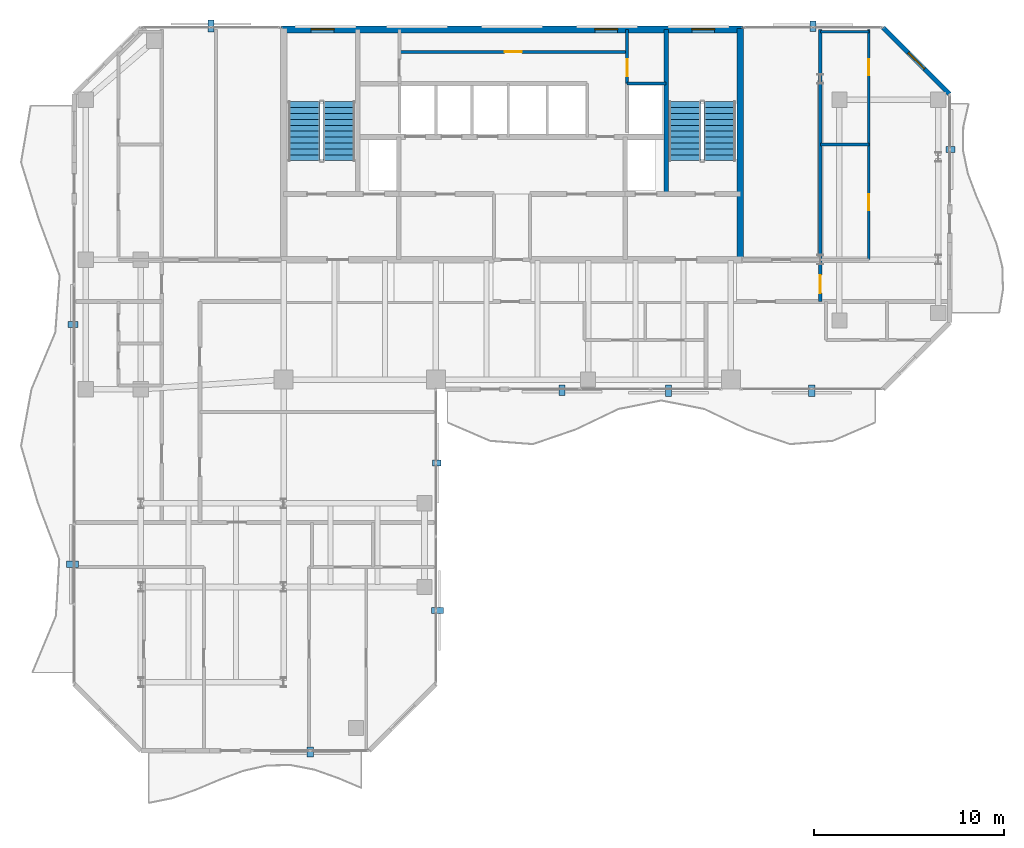
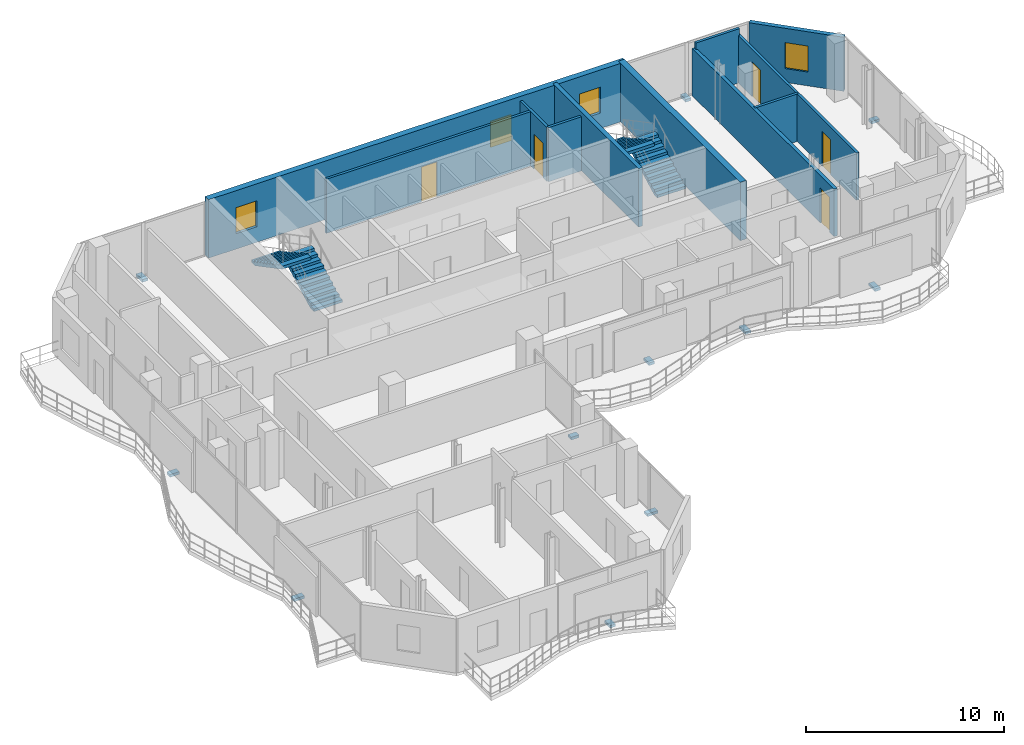
# One storey, part 20 of 23: 11 discrete accessories, 11 walls, 5 doors, 4 stair flights, 4 windows, 9 openings, 2 elements without a shape of their own.
"""IFC4 building model written with IfcOpenShell, lengths in metres."""

import ifcopenshell
import ifcopenshell.guid

model = None  # the IFC model being written
_history = None  # IfcOwnerHistory: only IFC2X3 demands one
_inside = {}  # id of a spatial element -> (the spatial element, [elements in it])
_under = {}  # id of a project, library or spatial element -> (it, [spatial elements below it])
_declared = {}  # id of a project -> (the project, [libraries it declares])
_typed = {}  # id of a type object -> (the type object, [elements of that type])
_made_of = {}  # id of a material, layer set ... -> (it, [elements and type objects made of it])


def new_model(schema):
    """Start an empty IFC model of exactly this schema.

    Asked for "IFC4X3", IfcOpenShell would pick the latest addendum, in which some entities
    have other attributes; the version numbers below select the first issue.
    IFC2X3 requires an IfcOwnerHistory on every rooted entity: one is made here for all.
    """
    global model, _history
    if schema == "IFC4X3":
        model = ifcopenshell.file(schema_version=(4, 3, 0, 0))
    else:
        model = ifcopenshell.file(schema=schema)
    _inside.clear()
    _under.clear()
    _declared.clear()
    _typed.clear()
    _made_of.clear()
    _history = None
    if model.schema == "IFC2X3":
        org = make("IfcOrganization", Name="unknown")
        user = make(
            "IfcPersonAndOrganization",
            ThePerson=make("IfcPerson", FamilyName="unknown"),
            TheOrganization=org,
        )
        app = make(
            "IfcApplication",
            ApplicationDeveloper=org,
            Version="unknown",
            ApplicationFullName="unknown",
            ApplicationIdentifier="unknown",
        )
        _history = make(
            "IfcOwnerHistory",
            OwningUser=user,
            OwningApplication=app,
            ChangeAction="ADDED",
            CreationDate=0,
        )
    return model


def make(cls, **values):
    """One entity of the class cls with the attributes given. An attribute that is None is left unset."""
    return model.create_entity(
        cls, **{name: value for name, value in values.items() if value is not None}
    )


def rooted(cls, **values):
    """An entity with a GlobalId (a new one), such as an element, a storey or a relation."""
    return make(cls, GlobalId=ifcopenshell.guid.new(), OwnerHistory=_history, **values)


def si_unit(unit_type, name, prefix=None):
    """IfcSIUnit, for example si_unit("LENGTHUNIT", "METRE", prefix="MILLI")."""
    return make("IfcSIUnit", UnitType=unit_type, Prefix=prefix, Name=name)


def assignment(units):
    """IfcUnitAssignment: the units of a project."""
    return None if units is None else make("IfcUnitAssignment", Units=units)


def point(xyz):
    """IfcCartesianPoint."""
    return None if xyz is None else make("IfcCartesianPoint", Coordinates=xyz)


def direction(xyz):
    """IfcDirection."""
    return None if xyz is None else make("IfcDirection", DirectionRatios=xyz)


def frame(location, z_axis=None, x_axis=None):
    """IfcAxis2Placement3D, a coordinate frame: its origin and axes. An axis left out is left unset."""
    return make(
        "IfcAxis2Placement3D",
        Location=point(location),
        Axis=direction(z_axis),
        RefDirection=direction(x_axis),
    )


def frame_2d(location, x_axis=None):
    """IfcAxis2Placement2D, a coordinate frame in the plane: its origin and x axis."""
    return make(
        "IfcAxis2Placement2D", Location=point(location), RefDirection=direction(x_axis)
    )


def origin():
    """The frame at (0, 0, 0) with its axes left unset."""
    return frame((0.0, 0.0, 0.0))


def origin_2d():
    """The frame at (0, 0) in the plane with its x axis left unset."""
    return frame_2d((0.0, 0.0))


def place(relative_to, where):
    """IfcLocalPlacement: puts the frame where relative to a parent placement (None: the world)."""
    return make(
        "IfcLocalPlacement", PlacementRelTo=relative_to, RelativePlacement=where
    )


def context(
    kind, dimensions, precision=None, world=None, true_north=None, identifier=None
):
    """IfcGeometricRepresentationContext, for example the 3D "Model" context."""
    return make(
        "IfcGeometricRepresentationContext",
        ContextIdentifier=identifier,
        ContextType=kind,
        CoordinateSpaceDimension=dimensions,
        Precision=precision,
        WorldCoordinateSystem=world,
        TrueNorth=true_north,
    )


def subcontext(parent, identifier, kind, view, scale=None):
    """IfcGeometricRepresentationSubContext, for example "Body" below "Model"."""
    return make(
        "IfcGeometricRepresentationSubContext",
        ContextIdentifier=identifier,
        ContextType=kind,
        ParentContext=parent,
        TargetScale=scale,
        TargetView=view,
    )


def project(units=None, contexts=None):
    """IfcProject with its units and contexts."""
    return rooted(
        "IfcProject",
        Name="project",
        RepresentationContexts=contexts,
        UnitsInContext=assignment(units),
    )


def spatial(cls, under=None, at=None, **own):
    """A site, building, storey or space (cls), placed at a placement, below another one or the project."""
    s = rooted(cls, ObjectPlacement=at, **own)
    if under is not None:
        _under.setdefault(under.id(), (under, []))[1].append(s)
    return s


def polyline(points):
    """IfcPolyline through the points."""
    return make("IfcPolyline", Points=[point(p) for p in points])


def profile(cls, at=None, kind="AREA", **sizes):
    """A parametric profile (cls). Its sizes go by their IFC names, for example OverallWidth=200.0."""
    return make(cls, ProfileType=kind, Position=at, **sizes)


def rectangle(**sizes):
    """IfcRectangleProfileDef."""
    return profile("IfcRectangleProfileDef", **sizes)


def outline(outer, holes=None, kind="AREA"):
    """IfcArbitraryClosedProfileDef: a profile drawn as a closed curve; with holes, ...WithVoids."""
    if holes is None:
        return make("IfcArbitraryClosedProfileDef", ProfileType=kind, OuterCurve=outer)
    return make(
        "IfcArbitraryProfileDefWithVoids",
        ProfileType=kind,
        OuterCurve=outer,
        InnerCurves=holes,
    )


def extrude(swept, where, along, depth):
    """IfcExtrudedAreaSolid: the profile swept, set in the frame where, extruded along a direction by depth."""
    return make(
        "IfcExtrudedAreaSolid",
        SweptArea=swept,
        Position=where,
        ExtrudedDirection=direction(along),
        Depth=depth,
    )


def shape(context_of_items, identifier, shape_type, items):
    """IfcShapeRepresentation: the items that make up one representation, for example the "Body"."""
    return make(
        "IfcShapeRepresentation",
        ContextOfItems=context_of_items,
        RepresentationIdentifier=identifier,
        RepresentationType=shape_type,
        Items=items,
    )


def material(Name=None, Category=None):
    """IfcMaterial."""
    return make("IfcMaterial", Name=Name, Category=Category)


def layer(
    of_material, thickness, ventilated=None, Name=None, Category=None, Priority=None
):
    """IfcMaterialLayer: one layer of a wall or slab, of a material (None: an air gap)."""
    return make(
        "IfcMaterialLayer",
        Material=of_material,
        LayerThickness=thickness,
        IsVentilated=ventilated,
        Name=Name,
        Category=Category,
        Priority=Priority,
    )


def layer_set(layers, Name=None):
    """IfcMaterialLayerSet."""
    return make("IfcMaterialLayerSet", MaterialLayers=layers, LayerSetName=Name)


def made_of(thing, what):
    """Note that an element or type object is made of a material, layer set ...; save() writes the relation."""
    if what is not None:
        _made_of.setdefault(what.id(), (what, []))[1].append(thing)
    return thing


def type_object(cls, material=None, **own):
    """A type object (cls), such as IfcWallType, which elements share."""
    return made_of(rooted(cls, **own), material)


def element(
    cls,
    number,
    at=None,
    inside=None,
    cuts=None,
    type_object=None,
    material=None,
    context=None,
    identifier="Body",
    shape_type=None,
    held_by="IfcProductDefinitionShape",
    body=None,
    shapes=None,
    **own,
):
    """One element of the class cls, such as IfcWall. Its Tag is "e" and its number.

    at: its placement. inside: the storey or other place that contains it. cuts: it is an
    opening in that element (IfcRelVoidsElement). A single representation is given by context,
    identifier, shape_type and body (its items); several are given by shapes. held_by: the class
    of the entity that holds the representations. save() writes the other relations.
    """
    e = rooted(cls, Tag="e%d" % number, ObjectPlacement=at, **own)
    if body is not None:
        shapes = [shape(context, identifier, shape_type, body)]
    if shapes is not None:
        e.Representation = make(held_by, Representations=shapes)
    if inside is not None:
        _inside.setdefault(inside.id(), (inside, []))[1].append(e)
    if cuts is not None:
        rooted(
            "IfcRelVoidsElement", RelatingBuildingElement=cuts, RelatedOpeningElement=e
        )
    if type_object is not None:
        _typed.setdefault(type_object.id(), (type_object, []))[1].append(e)
    return made_of(e, material)


def fill(opening, filler):
    """IfcRelFillsElement: the door or window that sits in an opening."""
    return rooted(
        "IfcRelFillsElement",
        RelatingOpeningElement=opening,
        RelatedBuildingElement=filler,
    )


def aggregate(whole, parts):
    """IfcRelAggregates: a whole, such as a stair, and the parts it consists of."""
    return rooted("IfcRelAggregates", RelatingObject=whole, RelatedObjects=parts)


def save(model, path):
    """Write the relations noted so far, then the file.

    IfcRelAggregates (storeys below a building ...), IfcRelContainedInSpatialStructure (elements
    in a storey), IfcRelDefinesByType, IfcRelAssociatesMaterial and IfcRelDeclares: one each for
    every whole, place, type object, material and project.
    """
    for whole, parts in _under.values():
        aggregate(whole, parts)
    for where, things in _inside.values():
        rooted(
            "IfcRelContainedInSpatialStructure",
            RelatedElements=things,
            RelatingStructure=where,
        )
    for kind, things in _typed.values():
        rooted("IfcRelDefinesByType", RelatedObjects=things, RelatingType=kind)
    for what, things in _made_of.values():
        rooted("IfcRelAssociatesMaterial", RelatedObjects=things, RelatingMaterial=what)
    for by, libraries in _declared.values():
        rooted("IfcRelDeclares", RelatingContext=by, RelatedDefinitions=libraries)
    model.write(path)


model = new_model("IFC4")

# Units and contexts
model_context = context("Model", 3, precision=1e-05, world=origin(), true_north=direction((0.0, 1.0)))
body_context = subcontext(model_context, "Body", "Model", "MODEL_VIEW")
ifc_project = project(units=[si_unit("LENGTHUNIT", "METRE"), si_unit("AREAUNIT", "SQUARE_METRE"), si_unit("VOLUMEUNIT", "CUBIC_METRE"), si_unit("PLANEANGLEUNIT", "RADIAN"), si_unit("MASSUNIT", "GRAM", prefix="KILO")], contexts=[model_context])

# Site, building, storey
site_placement = place(None, origin())
site = spatial("IfcSite", under=ifc_project, at=site_placement, CompositionType="ELEMENT")
building_placement = place(site_placement, origin())
building = spatial("IfcBuilding", under=site, at=building_placement, Name="Catumbela Crestline Tower", CompositionType="ELEMENT")
storey_placement = place(building_placement, frame((0.0, 0.0, 190.2)))
storey = spatial("IfcBuildingStorey", under=building, at=storey_placement, Name="L49", CompositionType="ELEMENT", Elevation=190.2)

# Walls
ifc_material_1 = material(Name="Concrete C50/60", Category="concrete")
ifc_layer_1 = layer(ifc_material_1, 0.25, Name="Concrete C50/60")
ifc_layer_set_1 = layer_set([ifc_layer_1], Name="Concrete C50/60")
wall_type_1 = type_object("IfcWallType", Name="CW-250D", PredefinedType="SHEAR", material=ifc_layer_set_1)
wall_1_placement = place(storey_placement, frame((36.1, 34.25, 0.0), z_axis=(0.0, 0.0, 1.0), x_axis=(0.0, 1.0, 0.0)))
element("IfcWall", 1, at=wall_1_placement, inside=storey, type_object=wall_type_1, Name="L49 Structural Core Shear Wall EWEB", PredefinedType="SHEAR", context=body_context, shape_type="SweptSolid", body=[
    extrude(rectangle(XDim=8.65, YDim=0.25, at=frame_2d((4.325, 0.0))), origin(), (0.0, 0.0, 1.0), 3.6),
])
ifc_layer_2 = layer(ifc_material_1, 0.35, Name="Concrete C50/60")
ifc_layer_set_2 = layer_set([ifc_layer_2], Name="Concrete C50/60")
wall_type_2 = type_object("IfcWallType", Name="CW-350B", PredefinedType="SHEAR", material=ifc_layer_set_2)
wall_2_placement = place(storey_placement, frame((40.0, 30.65, 0.0), z_axis=(0.0, 0.0, 1.0), x_axis=(0.0, 1.0, 0.0)))
element("IfcWall", 2, at=wall_2_placement, inside=storey, type_object=wall_type_2, Name="L49 Structural Core Shear Wall E", PredefinedType="SHEAR", context=body_context, shape_type="SweptSolid", body=[
    extrude(rectangle(XDim=12.3, YDim=0.35, at=frame_2d((6.15, 0.0))), origin(), (0.0, 0.0, 1.0), 3.6),
])

# Wall, openings, windows
ifc_layer_3 = layer(ifc_material_1, 0.35, Name="Concrete C50/60")
ifc_layer_set_3 = layer_set([ifc_layer_3], Name="Concrete C50/60")
wall_type_3 = type_object("IfcWallType", Name="CW-350E", PredefinedType="SHEAR", material=ifc_layer_set_3)
wall_3_placement = place(storey_placement, frame((15.85, 42.9, 0.0), z_axis=(0.0, 0.0, 1.0), x_axis=(1.0, 0.0, 0.0)))
wall_3 = element("IfcWall", 3, at=wall_3_placement, inside=storey, type_object=wall_type_3, Name="L49 Structural Core Shear Wall N", PredefinedType="SHEAR", context=body_context, shape_type="SweptSolid", body=[
    extrude(rectangle(XDim=24.3, YDim=0.35, at=frame_2d((12.15, 0.0))), origin(), (0.0, 0.0, 1.0), 3.6),
])
opening_1_placement = place(wall_3_placement, frame((1.6, 0.0, 0.95)))
opening_1 = element("IfcOpeningElement", 4, at=opening_1_placement, cuts=wall_3, Name="Opening WN-02", PredefinedType="OPENING", context=body_context, shape_type="SweptSolid", body=[
    extrude(rectangle(XDim=1.2, YDim=1.6, at=frame_2d((0.6, 0.8))), frame((0.0, 0.185, 0.0), z_axis=(0.0, -1.0, 0.0), x_axis=(1.0, 0.0, 0.0)), (0.0, 0.0, 1.0), 0.37),
])
opening_2_placement = place(wall_3_placement, frame((16.5, 0.0, 0.95)))
opening_2 = element("IfcOpeningElement", 5, at=opening_2_placement, cuts=wall_3, Name="Opening WN-02", PredefinedType="OPENING", context=body_context, shape_type="SweptSolid", body=[
    extrude(rectangle(XDim=1.2, YDim=1.6, at=frame_2d((0.6, 0.8))), frame((0.0, 0.185, 0.0), z_axis=(0.0, -1.0, 0.0), x_axis=(1.0, 0.0, 0.0)), (0.0, 0.0, 1.0), 0.37),
])
opening_3_placement = place(wall_3_placement, frame((21.6, 0.0, 0.95)))
opening_3 = element("IfcOpeningElement", 6, at=opening_3_placement, cuts=wall_3, Name="Opening WN-02", PredefinedType="OPENING", context=body_context, shape_type="SweptSolid", body=[
    extrude(rectangle(XDim=1.2, YDim=1.6, at=frame_2d((0.6, 0.8))), frame((0.0, 0.185, 0.0), z_axis=(0.0, -1.0, 0.0), x_axis=(1.0, 0.0, 0.0)), (0.0, 0.0, 1.0), 0.37),
])
ifc_material_2 = material(Name="Low-E laminated solar-control double glazing", Category="glass")
window_type = type_object("IfcWindowType", Name="WO-1200", PartitioningType="SINGLE_PANEL", PredefinedType="WINDOW", material=ifc_material_2)
window_1_placement = place(opening_1_placement, origin())
window_1 = element("IfcWindow", 7, at=window_1_placement, inside=storey, type_object=window_type, Name="L49 North Core Daylight Vision Window 313", OverallHeight=1.6, OverallWidth=1.2, PartitioningType="SINGLE_PANEL", PredefinedType="WINDOW", context=body_context, shape_type="SweptSolid", body=[
    extrude(rectangle(XDim=1.2, YDim=1.6, at=frame_2d((0.6, 0.8))), frame((0.0, 0.03, 0.0), z_axis=(0.0, -1.0, 0.0), x_axis=(1.0, 0.0, 0.0)), (0.0, 0.0, 1.0), 0.06),
])
fill(opening_1, window_1)
window_2_placement = place(opening_2_placement, origin())
window_2 = element("IfcWindow", 8, at=window_2_placement, inside=storey, type_object=window_type, Name="L49 North Core Daylight Vision Window 314", OverallHeight=1.6, OverallWidth=1.2, PartitioningType="SINGLE_PANEL", PredefinedType="WINDOW", context=body_context, shape_type="SweptSolid", body=[
    extrude(rectangle(XDim=1.2, YDim=1.6, at=frame_2d((0.6, 0.8))), frame((0.0, 0.03, 0.0), z_axis=(0.0, -1.0, 0.0), x_axis=(1.0, 0.0, 0.0)), (0.0, 0.0, 1.0), 0.06),
])
fill(opening_2, window_2)
window_3_placement = place(opening_3_placement, origin())
window_3 = element("IfcWindow", 9, at=window_3_placement, inside=storey, type_object=window_type, Name="L49 North Core Daylight Vision Window 315", OverallHeight=1.6, OverallWidth=1.2, PartitioningType="SINGLE_PANEL", PredefinedType="WINDOW", context=body_context, shape_type="SweptSolid", body=[
    extrude(rectangle(XDim=1.2, YDim=1.6, at=frame_2d((0.6, 0.8))), frame((0.0, 0.03, 0.0), z_axis=(0.0, -1.0, 0.0), x_axis=(1.0, 0.0, 0.0)), (0.0, 0.0, 1.0), 0.06),
])
fill(opening_3, window_3)

# Wall, opening, door
ifc_material_3 = material(Name="Acoustic gypsum and mineral-wool partition")
ifc_layer_4 = layer(ifc_material_3, 0.2, Name="Acoustic gypsum and mineral-wool partition")
ifc_layer_set_4 = layer_set([ifc_layer_4], Name="Acoustic gypsum and mineral-wool partition")
wall_type_4 = type_object("IfcWallType", Name="WC-200", PredefinedType="PARTITIONING", material=ifc_layer_set_4)
wall_4_placement = place(storey_placement, frame((44.2, 28.6, 0.0), z_axis=(0.0, 0.0, 1.0), x_axis=(0.0, 1.0, 0.0)))
wall_4 = element("IfcWall", 10, at=wall_4_placement, inside=storey, type_object=wall_type_4, Name="L49 Interior Partition PW-L49-NE1-ENT", PredefinedType="PARTITIONING", context=body_context, shape_type="SweptSolid", body=[
    extrude(rectangle(XDim=14.3, YDim=0.2, at=frame_2d((7.15, 0.0))), origin(), (0.0, 0.0, 1.0), 2.92),
])
opening_4_placement = place(wall_4_placement, frame((0.445, 0.0, 0.0)))
opening_4 = element("IfcOpeningElement", 11, at=opening_4_placement, cuts=wall_4, Name="Opening DF6-095", PredefinedType="OPENING", context=body_context, shape_type="SweptSolid", body=[
    extrude(rectangle(XDim=0.95, YDim=2.15, at=frame_2d((0.475, 1.075))), frame((0.0, 0.11, 0.0), z_axis=(0.0, -1.0, 0.0), x_axis=(1.0, 0.0, 0.0)), (0.0, 0.0, 1.0), 0.22),
])
ifc_material_4 = material(Name="Aluminium alloy AW-6060-T66", Category="aluminium")
door_type_1 = type_object("IfcDoorType", Name="DF6-095", OperationType="NOTDEFINED", PredefinedType="DOOR", material=ifc_material_4)
door_1_placement = place(opening_4_placement, origin())
door_1 = element("IfcDoor", 12, at=door_1_placement, inside=storey, type_object=door_type_1, Name="L49 Interior Door DR-L49-NE1-ENT", OperationType="SINGLE_SWING_LEFT", OverallHeight=2.15, OverallWidth=0.95, PredefinedType="DOOR", context=body_context, shape_type="SweptSolid", body=[
    extrude(rectangle(XDim=0.95, YDim=2.15, at=frame_2d((0.475, 1.075))), frame((0.0, 0.025, 0.0), z_axis=(0.0, -1.0, 0.0), x_axis=(1.0, 0.0, 0.0)), (0.0, 0.0, 1.0), 0.05),
])
fill(opening_4, door_1)

# Wall, opening, window
ifc_material_5 = material(Name="Angolan grey-ochre granite", Category="masonry")
ifc_layer_5 = layer(ifc_material_5, 0.25, Name="Angolan grey-ochre granite")
ifc_layer_set_5 = layer_set([ifc_layer_5], Name="Angolan grey-ochre granite")
wall_type_5 = type_object("IfcWallType", Name="WE-250", PredefinedType="STANDARD", material=ifc_layer_set_5)
wall_5_placement = place(storey_placement, frame((51.0, 39.5, 0.0), z_axis=(0.0, 0.0, 1.0), x_axis=(-0.707106781187, 0.707106781187, 0.0)))
wall_5 = element("IfcWall", 13, at=wall_5_placement, inside=storey, type_object=wall_type_5, Name="L49 Granite Punched Window Wall 6-1", PredefinedType="STANDARD", context=body_context, shape_type="SweptSolid", body=[
    extrude(rectangle(XDim=4.9497, YDim=0.25, at=frame_2d((2.4748, 0.0))), origin(), (0.0, 0.0, 1.0), 3.33),
])
opening_5_placement = place(wall_5_placement, frame((1.8748, 0.0, 0.85)))
opening_5 = element("IfcOpeningElement", 14, at=opening_5_placement, cuts=wall_5, Name="Opening WN-02", PredefinedType="OPENING", context=body_context, shape_type="SweptSolid", body=[
    extrude(rectangle(XDim=1.2, YDim=1.6, at=frame_2d((0.6, 0.8))), frame((0.0, 0.135, 0.0), z_axis=(0.0, -1.0, 0.0), x_axis=(1.0, 0.0, 0.0)), (0.0, 0.0, 1.0), 0.27),
])
window_4_placement = place(opening_5_placement, origin())
window_4 = element("IfcWindow", 15, at=window_4_placement, inside=storey, type_object=window_type, Name="L49 Facade Vision Window 320", OverallHeight=1.6, OverallWidth=1.2, PartitioningType="SINGLE_PANEL", PredefinedType="WINDOW", context=body_context, shape_type="SweptSolid", body=[
    extrude(rectangle(XDim=1.2, YDim=1.6, at=frame_2d((0.6, 0.8))), frame((0.0, 0.03, 0.0), z_axis=(0.0, -1.0, 0.0), x_axis=(1.0, 0.0, 0.0)), (0.0, 0.0, 1.0), 0.06),
])
fill(opening_5, window_4)

# Wall
ifc_layer_6 = layer(ifc_material_3, 0.15, Name="Acoustic gypsum and mineral-wool partition")
ifc_layer_set_6 = layer_set([ifc_layer_6], Name="Acoustic gypsum and mineral-wool partition")
wall_type_6 = type_object("IfcWallType", Name="WP-150", PredefinedType="PARTITIONING", material=ifc_layer_set_6)
wall_6_placement = place(storey_placement, frame((34.05, 40.05, 0.0), z_axis=(0.0, 0.0, 1.0), x_axis=(1.0, 0.0, 0.0)))
element("IfcWall", 16, at=wall_6_placement, inside=storey, type_object=wall_type_6, Name="L49 Interior Partition PW-L49-CR-ES", PredefinedType="PARTITIONING", context=body_context, shape_type="SweptSolid", body=[
    extrude(rectangle(XDim=2.05, YDim=0.15, at=frame_2d((1.025, 0.0))), origin(), (0.0, 0.0, 1.0), 3.33),
])

# Wall, opening, door
wall_7_placement = place(storey_placement, frame((34.05, 40.05, 0.0), z_axis=(0.0, 0.0, 1.0), x_axis=(0.0, 1.0, 0.0)))
wall_7 = element("IfcWall", 17, at=wall_7_placement, inside=storey, type_object=wall_type_6, Name="L49 Interior Partition PW-L49-CR-EW", PredefinedType="PARTITIONING", context=body_context, shape_type="SweptSolid", body=[
    extrude(rectangle(XDim=2.85, YDim=0.15, at=frame_2d((1.425, 0.0))), origin(), (0.0, 0.0, 1.0), 3.33),
])
opening_6_placement = place(wall_7_placement, frame((0.385, 0.0, 0.0)))
opening_6 = element("IfcOpeningElement", 18, at=opening_6_placement, cuts=wall_7, Name="Opening DF9-090", PredefinedType="OPENING", context=body_context, shape_type="SweptSolid", body=[
    extrude(rectangle(XDim=0.9, YDim=2.15, at=frame_2d((0.45, 1.075))), frame((0.0, 0.085, 0.0), z_axis=(0.0, -1.0, 0.0), x_axis=(1.0, 0.0, 0.0)), (0.0, 0.0, 1.0), 0.17),
])
ifc_material_6 = material(Name="Stainless steel EN 1.4401", Category="steel")
door_type_2 = type_object("IfcDoorType", Name="DF9-090", OperationType="NOTDEFINED", PredefinedType="DOOR", material=ifc_material_6)
door_2_placement = place(opening_6_placement, origin())
door_2 = element("IfcDoor", 19, at=door_2_placement, inside=storey, type_object=door_type_2, Name="L49 Interior Door DR-L49-CREAST", OperationType="SINGLE_SWING_RIGHT", OverallHeight=2.15, OverallWidth=0.9, PredefinedType="DOOR", context=body_context, shape_type="SweptSolid", body=[
    extrude(rectangle(XDim=0.9, YDim=2.15, at=frame_2d((0.45, 1.075))), frame((0.0, 0.025, 0.0), z_axis=(0.0, -1.0, 0.0), x_axis=(1.0, 0.0, 0.0)), (0.0, 0.0, 1.0), 0.05),
])
fill(opening_6, door_2)

wall_8_placement = place(storey_placement, frame((22.08, 41.72, 0.0), z_axis=(0.0, 0.0, 1.0), x_axis=(1.0, 0.0, 0.0)))
wall_8 = element("IfcWall", 20, at=wall_8_placement, inside=storey, type_object=wall_type_6, Name="L49 Interior Partition PW-L49-CR-MID", PredefinedType="PARTITIONING", context=body_context, shape_type="SweptSolid", body=[
    extrude(rectangle(XDim=11.97, YDim=0.15, at=frame_2d((5.985, 0.0))), origin(), (0.0, 0.0, 1.0), 3.33),
])
opening_7_placement = place(wall_8_placement, frame((5.535, 0.0, 0.0)))
opening_7 = element("IfcOpeningElement", 21, at=opening_7_placement, cuts=wall_8, Name="Opening DF9-090", PredefinedType="OPENING", context=body_context, shape_type="SweptSolid", body=[
    extrude(rectangle(XDim=0.9, YDim=2.15, at=frame_2d((0.45, 1.075))), frame((0.0, 0.085, 0.0), z_axis=(0.0, -1.0, 0.0), x_axis=(1.0, 0.0, 0.0)), (0.0, 0.0, 1.0), 0.17),
])
door_3_placement = place(opening_7_placement, origin())
door_3 = element("IfcDoor", 22, at=door_3_placement, inside=storey, type_object=door_type_2, Name="L49 Interior Door DR-L49-CRMID", OperationType="SINGLE_SWING_LEFT", OverallHeight=2.15, OverallWidth=0.9, PredefinedType="DOOR", context=body_context, shape_type="SweptSolid", body=[
    extrude(rectangle(XDim=0.9, YDim=2.15, at=frame_2d((0.45, 1.075))), frame((0.0, 0.025, 0.0), z_axis=(0.0, -1.0, 0.0), x_axis=(1.0, 0.0, 0.0)), (0.0, 0.0, 1.0), 0.05),
])
fill(opening_7, door_3)

# Wall
wall_9_placement = place(storey_placement, frame((44.2, 36.85, 0.0), z_axis=(0.0, 0.0, 1.0), x_axis=(1.0, 0.0, 0.0)))
element("IfcWall", 23, at=wall_9_placement, inside=storey, type_object=wall_type_6, Name="L49 Interior Partition PW-L49-NE1-KBM", PredefinedType="PARTITIONING", context=body_context, shape_type="SweptSolid", body=[
    extrude(rectangle(XDim=2.546, YDim=0.15, at=frame_2d((1.273, 0.0))), origin(), (0.0, 0.0, 1.0), 2.92),
])

# Wall, openings, doors
wall_10_placement = place(storey_placement, frame((46.746, 30.8, 0.0), z_axis=(0.0, 0.0, 1.0), x_axis=(0.0, 1.0, 0.0)))
wall_10 = element("IfcWall", 24, at=wall_10_placement, inside=storey, type_object=wall_type_6, Name="L49 Interior Partition PW-L49-NE1-SK1", PredefinedType="PARTITIONING", context=body_context, shape_type="SweptSolid", body=[
    extrude(rectangle(XDim=12.1, YDim=0.15, at=frame_2d((6.05, 0.0))), origin(), (0.0, 0.0, 1.0), 2.92),
])
opening_8_placement = place(wall_10_placement, frame((2.6, 0.0, 0.0)))
opening_8 = element("IfcOpeningElement", 25, at=opening_8_placement, cuts=wall_10, Name="Opening DI-085", PredefinedType="OPENING", context=body_context, shape_type="SweptSolid", body=[
    extrude(rectangle(XDim=0.85, YDim=2.15, at=frame_2d((0.425, 1.075))), frame((0.0, 0.085, 0.0), z_axis=(0.0, -1.0, 0.0), x_axis=(1.0, 0.0, 0.0)), (0.0, 0.0, 1.0), 0.17),
])
opening_9_placement = place(wall_10_placement, frame((9.6823, 0.0, 0.0)))
opening_9 = element("IfcOpeningElement", 26, at=opening_9_placement, cuts=wall_10, Name="Opening DI-085", PredefinedType="OPENING", context=body_context, shape_type="SweptSolid", body=[
    extrude(rectangle(XDim=0.85, YDim=2.15, at=frame_2d((0.425, 1.075))), frame((0.0, 0.085, 0.0), z_axis=(0.0, -1.0, 0.0), x_axis=(1.0, 0.0, 0.0)), (0.0, 0.0, 1.0), 0.17),
])
door_type_3 = type_object("IfcDoorType", Name="DI-085", OperationType="NOTDEFINED", PredefinedType="DOOR", material=ifc_material_4)
door_4_placement = place(opening_8_placement, origin())
door_4 = element("IfcDoor", 27, at=door_4_placement, inside=storey, type_object=door_type_3, Name="L49 Interior Door DR-L49-NE1-KIT", OperationType="SINGLE_SWING_LEFT", OverallHeight=2.15, OverallWidth=0.85, PredefinedType="DOOR", context=body_context, shape_type="SweptSolid", body=[
    extrude(rectangle(XDim=0.85, YDim=2.15, at=frame_2d((0.425, 1.075))), frame((0.0, 0.025, 0.0), z_axis=(0.0, -1.0, 0.0), x_axis=(1.0, 0.0, 0.0)), (0.0, 0.0, 1.0), 0.05),
])
fill(opening_8, door_4)
door_5_placement = place(opening_9_placement, origin())
door_5 = element("IfcDoor", 28, at=door_5_placement, inside=storey, type_object=door_type_3, Name="L49 Interior Door DR-L49-NE1-BTH", OperationType="SINGLE_SWING_RIGHT", OverallHeight=2.15, OverallWidth=0.85, PredefinedType="DOOR", context=body_context, shape_type="SweptSolid", body=[
    extrude(rectangle(XDim=0.85, YDim=2.15, at=frame_2d((0.425, 1.075))), frame((0.0, 0.025, 0.0), z_axis=(0.0, -1.0, 0.0), x_axis=(1.0, 0.0, 0.0)), (0.0, 0.0, 1.0), 0.05),
])
fill(opening_9, door_5)

# Wall
wall_11_placement = place(storey_placement, frame((44.2, 42.78, 0.0), z_axis=(0.0, 0.0, 1.0), x_axis=(1.0, 0.0, 0.0)))
element("IfcWall", 29, at=wall_11_placement, inside=storey, type_object=wall_type_6, Name="L49 Interior Partition PW-L49-NE1-BTH-BCL-2", PredefinedType="PARTITIONING", context=body_context, shape_type="SweptSolid", body=[
    extrude(rectangle(XDim=2.546, YDim=0.15, at=frame_2d((1.273, 0.0))), origin(), (0.0, 0.0, 1.0), 3.33),
])

# Stair, stair flights
ifc_material_7 = material(Name="Concrete C45/55", Category="concrete")
stair_type = type_object("IfcStairType", Name="ST-DLG", PredefinedType="HALF_TURN_STAIR", material=ifc_material_7)
stair_1_placement = place(storey_placement, origin())
stair_1 = element("IfcStair", 30, at=stair_1_placement, inside=storey, type_object=stair_type, Name="L49 West Core Pressurised Exit Stair ST-01", PredefinedType="HALF_TURN_STAIR")
stair_flight_type = type_object("IfcStairFlightType", Name="SF-1636", PredefinedType="STRAIGHT", material=ifc_material_7)
stair_flight_1_placement = place(storey_placement, frame((18.92, 36.0, 0.0), z_axis=(0.0, 0.0, 1.0), x_axis=(0.0, 1.0, 0.0)))
stair_flight_1 = element("IfcStairFlight", 31, at=stair_flight_1_placement, type_object=stair_flight_type, Name="ST-01 flight 1", NumberOfRisers=11, NumberOfTreads=10, PredefinedType="STRAIGHT", RiserHeight=0.163636364, TreadLength=0.31, context=body_context, shape_type="SweptSolid", body=[
    extrude(outline(polyline([(0.0, 0.0), (0.0, 0.1636), (0.31, 0.1636), (0.31, 0.3273), (0.62, 0.3273), (0.62, 0.4909), (0.93, 0.4909), (0.93, 0.6545), (1.24, 0.6545), (1.24, 0.8182), (1.55, 0.8182), (1.55, 0.9818), (1.86, 0.9818), (1.86, 1.1455), (2.17, 1.1455), (2.17, 1.3091), (2.48, 1.3091), (2.48, 1.4727), (2.79, 1.4727), (2.79, 1.6364), (3.1, 1.6364), (3.1, 1.8), (3.1, 1.4554), (0.3427, 0.0), (0.0, 0.0)])), frame((0.0, 0.83, 0.0), z_axis=(0.0, -1.0, 0.0), x_axis=(1.0, 0.0, 0.0)), (0.0, 0.0, 1.0), 1.66),
])
stair_flight_2_placement = place(storey_placement, frame((17.08, 39.1, 1.8), z_axis=(0.0, 0.0, 1.0), x_axis=(0.0, -1.0, 0.0)))
stair_flight_2 = element("IfcStairFlight", 32, at=stair_flight_2_placement, type_object=stair_flight_type, Name="ST-01 flight 2", NumberOfRisers=11, NumberOfTreads=10, PredefinedType="STRAIGHT", RiserHeight=0.163636364, TreadLength=0.31, context=body_context, shape_type="SweptSolid", body=[
    extrude(outline(polyline([(0.0, 0.0), (0.0, 0.1636), (0.31, 0.1636), (0.31, 0.3273), (0.62, 0.3273), (0.62, 0.4909), (0.93, 0.4909), (0.93, 0.6545), (1.24, 0.6545), (1.24, 0.8182), (1.55, 0.8182), (1.55, 0.9818), (1.86, 0.9818), (1.86, 1.1455), (2.17, 1.1455), (2.17, 1.3091), (2.48, 1.3091), (2.48, 1.4727), (2.79, 1.4727), (2.79, 1.6364), (3.1, 1.6364), (3.1, 1.8), (3.1, 1.4554), (0.3427, 0.0), (0.0, 0.0)])), frame((0.0, 0.83, 0.0), z_axis=(0.0, -1.0, 0.0), x_axis=(1.0, 0.0, 0.0)), (0.0, 0.0, 1.0), 1.66),
])
aggregate(stair_1, [stair_flight_1, stair_flight_2])

stair_2_placement = place(storey_placement, origin())
stair_2 = element("IfcStair", 33, at=stair_2_placement, inside=storey, type_object=stair_type, Name="L49 East Core Pressurised Exit Stair ST-02", PredefinedType="HALF_TURN_STAIR")
stair_flight_3_placement = place(storey_placement, frame((38.92, 36.0, 0.0), z_axis=(0.0, 0.0, 1.0), x_axis=(0.0, 1.0, 0.0)))
stair_flight_3 = element("IfcStairFlight", 34, at=stair_flight_3_placement, type_object=stair_flight_type, Name="ST-02 flight 1", NumberOfRisers=11, NumberOfTreads=10, PredefinedType="STRAIGHT", RiserHeight=0.163636364, TreadLength=0.31, context=body_context, shape_type="SweptSolid", body=[
    extrude(outline(polyline([(0.0, 0.0), (0.0, 0.1636), (0.31, 0.1636), (0.31, 0.3273), (0.62, 0.3273), (0.62, 0.4909), (0.93, 0.4909), (0.93, 0.6545), (1.24, 0.6545), (1.24, 0.8182), (1.55, 0.8182), (1.55, 0.9818), (1.86, 0.9818), (1.86, 1.1455), (2.17, 1.1455), (2.17, 1.3091), (2.48, 1.3091), (2.48, 1.4727), (2.79, 1.4727), (2.79, 1.6364), (3.1, 1.6364), (3.1, 1.8), (3.1, 1.4554), (0.3427, 0.0), (0.0, 0.0)])), frame((0.0, 0.83, 0.0), z_axis=(0.0, -1.0, 0.0), x_axis=(1.0, 0.0, 0.0)), (0.0, 0.0, 1.0), 1.66),
])
stair_flight_4_placement = place(storey_placement, frame((37.08, 39.1, 1.8), z_axis=(0.0, 0.0, 1.0), x_axis=(0.0, -1.0, 0.0)))
stair_flight_4 = element("IfcStairFlight", 35, at=stair_flight_4_placement, type_object=stair_flight_type, Name="ST-02 flight 2", NumberOfRisers=11, NumberOfTreads=10, PredefinedType="STRAIGHT", RiserHeight=0.163636364, TreadLength=0.31, context=body_context, shape_type="SweptSolid", body=[
    extrude(outline(polyline([(0.0, 0.0), (0.0, 0.1636), (0.31, 0.1636), (0.31, 0.3273), (0.62, 0.3273), (0.62, 0.4909), (0.93, 0.4909), (0.93, 0.6545), (1.24, 0.6545), (1.24, 0.8182), (1.55, 0.8182), (1.55, 0.9818), (1.86, 0.9818), (1.86, 1.1455), (2.17, 1.1455), (2.17, 1.3091), (2.48, 1.3091), (2.48, 1.4727), (2.79, 1.4727), (2.79, 1.6364), (3.1, 1.6364), (3.1, 1.8), (3.1, 1.4554), (0.3427, 0.0), (0.0, 0.0)])), frame((0.0, 0.83, 0.0), z_axis=(0.0, -1.0, 0.0), x_axis=(1.0, 0.0, 0.0)), (0.0, 0.0, 1.0), 1.66),
])
aggregate(stair_2, [stair_flight_3, stair_flight_4])

# Discrete accessories
discrete_accessory_type = type_object("IfcDiscreteAccessoryType", Name="BK-SS1", PredefinedType="BRACKET", material=ifc_material_6)
discrete_accessory_1_placement = place(storey_placement, frame((17.4, 4.935, -0.18), z_axis=(0.0, 0.0, 1.0), x_axis=(1.0, 0.0, 0.0)))
element("IfcDiscreteAccessory", 36, at=discrete_accessory_1_placement, inside=storey, type_object=discrete_accessory_type, Name="L49 Solar Screen Stainless Bracket 576", PredefinedType="BRACKET", context=body_context, shape_type="SweptSolid", body=[
    extrude(rectangle(XDim=0.32, YDim=0.54, at=origin_2d()), origin(), (0.0, 0.0, 1.0), 0.16),
])
discrete_accessory_2_placement = place(storey_placement, frame((24.085, 12.375, -0.18), z_axis=(0.0, 0.0, 1.0), x_axis=(0.0, 1.0, 0.0)))
element("IfcDiscreteAccessory", 37, at=discrete_accessory_2_placement, inside=storey, type_object=discrete_accessory_type, Name="L49 Solar Screen Stainless Bracket 577", PredefinedType="BRACKET", context=body_context, shape_type="SweptSolid", body=[
    extrude(rectangle(XDim=0.32, YDim=0.62, at=origin_2d()), origin(), (0.0, 0.0, 1.0), 0.16),
])
discrete_accessory_3_placement = place(storey_placement, frame((24.045, 20.125, -0.18), z_axis=(0.0, 0.0, 1.0), x_axis=(0.0, 1.0, 0.0)))
element("IfcDiscreteAccessory", 38, at=discrete_accessory_3_placement, inside=storey, type_object=discrete_accessory_type, Name="L49 Solar Screen Stainless Bracket 578", PredefinedType="BRACKET", context=body_context, shape_type="SweptSolid", body=[
    extrude(rectangle(XDim=0.32, YDim=0.46, at=origin_2d()), origin(), (0.0, 0.0, 1.0), 0.16),
])
discrete_accessory_4_placement = place(storey_placement, frame((30.6375, 23.935, -0.18), z_axis=(0.0, 0.0, 1.0), x_axis=(1.0, 0.0, 0.0)))
element("IfcDiscreteAccessory", 39, at=discrete_accessory_4_placement, inside=storey, type_object=discrete_accessory_type, Name="L49 Solar Screen Stainless Bracket 579", PredefinedType="BRACKET", context=body_context, shape_type="SweptSolid", body=[
    extrude(rectangle(XDim=0.32, YDim=0.54, at=origin_2d()), origin(), (0.0, 0.0, 1.0), 0.16),
])
for number, where, z_axis, x_axis, name in (
    (40, (36.2125, 23.915, -0.18), (0.0, 0.0, 1.0), (1.0, 0.0, 0.0), "L49 Solar Screen Stainless Bracket 580"),
    (41, (43.75, 23.915, -0.18), (0.0, 0.0, 1.0), (1.0, 0.0, 0.0), "L49 Solar Screen Stainless Bracket 581"),
):
    element("IfcDiscreteAccessory", number, at=place(storey_placement, frame(where, z_axis=z_axis, x_axis=x_axis)), inside=storey, type_object=discrete_accessory_type, Name=name, PredefinedType="BRACKET", context=body_context, shape_type="SweptSolid", body=[
        extrude(rectangle(XDim=0.32, YDim=0.62, at=origin_2d()), origin(), (0.0, 0.0, 1.0), 0.16),
    ])
discrete_accessory_5_placement = place(storey_placement, frame((51.045, 36.6, -0.18), z_axis=(0.0, 0.0, 1.0), x_axis=(0.0, 1.0, 0.0)))
element("IfcDiscreteAccessory", 42, at=discrete_accessory_5_placement, inside=storey, type_object=discrete_accessory_type, Name="L49 Solar Screen Stainless Bracket 582", PredefinedType="BRACKET", context=body_context, shape_type="SweptSolid", body=[
    extrude(rectangle(XDim=0.32, YDim=0.46, at=origin_2d()), origin(), (0.0, 0.0, 1.0), 0.16),
])
discrete_accessory_6_placement = place(storey_placement, frame((43.82, 43.065, -0.18), z_axis=(0.0, 0.0, 1.0), x_axis=(-1.0, 0.0, 0.0)))
element("IfcDiscreteAccessory", 43, at=discrete_accessory_6_placement, inside=storey, type_object=discrete_accessory_type, Name="L49 Solar Screen Stainless Bracket 583", PredefinedType="BRACKET", context=body_context, shape_type="SweptSolid", body=[
    extrude(rectangle(XDim=0.32, YDim=0.54, at=origin_2d()), origin(), (0.0, 0.0, 1.0), 0.16),
])
discrete_accessory_7_placement = place(storey_placement, frame((12.18, 43.085, -0.18), z_axis=(0.0, 0.0, 1.0), x_axis=(-1.0, 0.0, 0.0)))
element("IfcDiscreteAccessory", 44, at=discrete_accessory_7_placement, inside=storey, type_object=discrete_accessory_type, Name="L49 Solar Screen Stainless Bracket 584", PredefinedType="BRACKET", context=body_context, shape_type="SweptSolid", body=[
    extrude(rectangle(XDim=0.32, YDim=0.62, at=origin_2d()), origin(), (0.0, 0.0, 1.0), 0.16),
])
discrete_accessory_8_placement = place(storey_placement, frame((4.935, 27.4, -0.18), z_axis=(0.0, 0.0, 1.0), x_axis=(0.0, -1.0, 0.0)))
element("IfcDiscreteAccessory", 45, at=discrete_accessory_8_placement, inside=storey, type_object=discrete_accessory_type, Name="L49 Solar Screen Stainless Bracket 585", PredefinedType="BRACKET", context=body_context, shape_type="SweptSolid", body=[
    extrude(rectangle(XDim=0.32, YDim=0.54, at=origin_2d()), origin(), (0.0, 0.0, 1.0), 0.16),
])
discrete_accessory_9_placement = place(storey_placement, frame((4.915, 14.8, -0.18), z_axis=(0.0, 0.0, 1.0), x_axis=(0.0, -1.0, 0.0)))
element("IfcDiscreteAccessory", 46, at=discrete_accessory_9_placement, inside=storey, type_object=discrete_accessory_type, Name="L49 Solar Screen Stainless Bracket 586", PredefinedType="BRACKET", context=body_context, shape_type="SweptSolid", body=[
    extrude(rectangle(XDim=0.32, YDim=0.62, at=origin_2d()), origin(), (0.0, 0.0, 1.0), 0.16),
])

save(model, "model.ifc")
